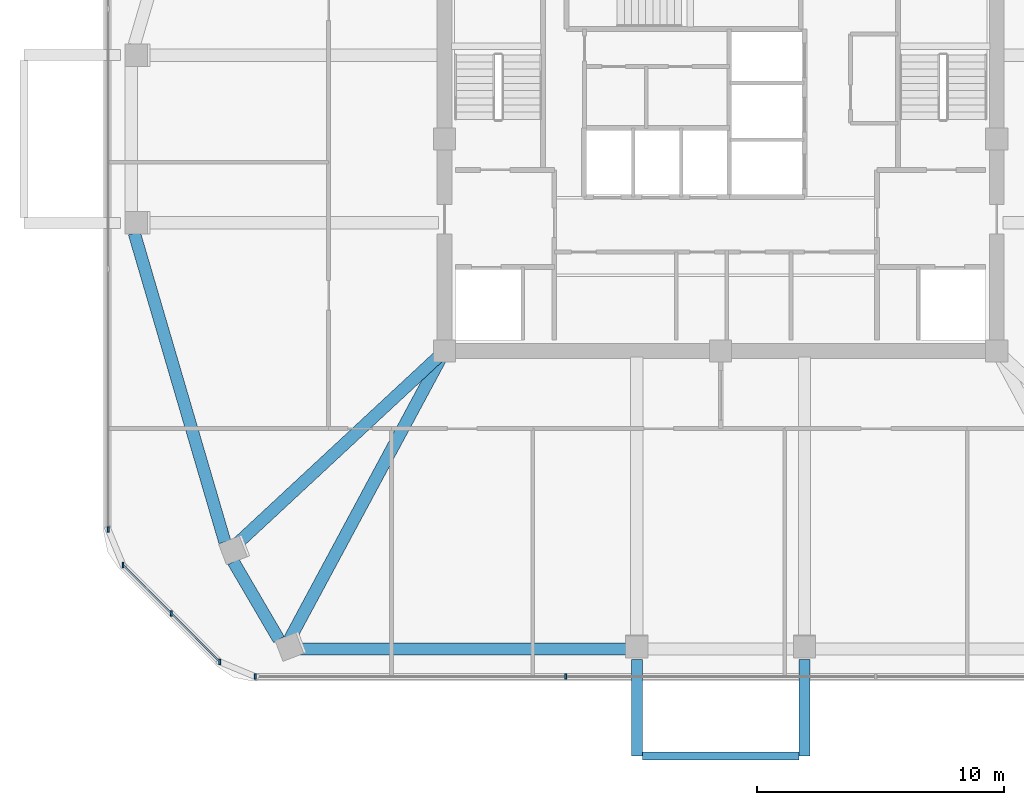
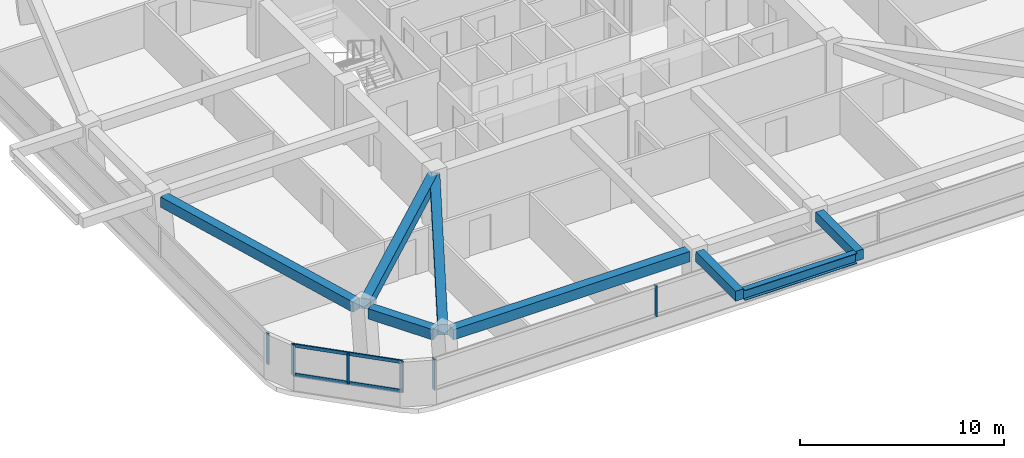
# One storey, part 2 of 13: 8 beams, 8 members, 3 elements without a shape of their own.
"""IFC4 building model written with IfcOpenShell, lengths in metres."""

from ifc_helpers import new_model, si_unit, derived_unit, direction, frame, origin, origin_2d, place, context, subcontext, project, spatial, rectangle, i_section, extrude, material, material_profile, profile_set, type_object, element, aggregate, save


model = new_model("IFC4")

# Units and contexts
model_context = context("Model", 3, precision=1e-05, world=origin(), true_north=direction((0.0, 1.0)))
body_context = subcontext(model_context, "Body", "Model", "MODEL_VIEW")
ifc_project = project(units=[si_unit("LENGTHUNIT", "METRE"), si_unit("AREAUNIT", "SQUARE_METRE"), si_unit("VOLUMEUNIT", "CUBIC_METRE"), si_unit("PLANEANGLEUNIT", "RADIAN"), si_unit("MASSUNIT", "GRAM", prefix="KILO"), derived_unit("THERMALTRANSMITTANCEUNIT", [(si_unit("POWERUNIT", "WATT"), 1), (si_unit("LENGTHUNIT", "METRE"), -2), (si_unit("THERMODYNAMICTEMPERATUREUNIT", "KELVIN"), -1)])], contexts=[model_context])

# Site, building, storey
site_placement = place(None, origin())
site = spatial("IfcSite", under=ifc_project, at=site_placement, CompositionType="ELEMENT")
building_placement = place(site_placement, origin())
building = spatial("IfcBuilding", under=site, at=building_placement, Name="Koralith Skygarden Medical Center", CompositionType="ELEMENT")
storey_placement = place(building_placement, frame((0.0, 0.0, 196.3798828125)))
storey = spatial("IfcBuildingStorey", under=building, at=storey_placement, Name="L50", CompositionType="ELEMENT", Elevation=196.3798828125)

# Curtain wall, members
ifc_material_1 = material(Name="Clear Laminated Glass", Category="glass")
curtain_wall_type = type_object("IfcCurtainWallType", Name="CW-5 Zone 4 Flare Biophilic Curtain Wall", PredefinedType="NOTDEFINED", material=ifc_material_1)
curtain_wall_1_placement = place(storey_placement, origin())
curtain_wall_1 = element("IfcCurtainWall", 1, at=curtain_wall_1_placement, inside=storey, type_object=curtain_wall_type, Name="Curtain Wall CW-L50-S", PredefinedType="NOTDEFINED")
ifc_material_2 = material(Name="Aluminium 6063-T6", Category="aluminium")
ifc_material_profile_1 = material_profile(ifc_material_2, rectangle(XDim=0.080078125, YDim=0.219970703125, at=origin_2d()), Name="MUL80X220")
ifc_profile_set_1 = profile_set([ifc_material_profile_1], Name="Aluminium 6063-T6")
member_type_1 = type_object("IfcMemberType", Name="CW-5 Extruded Mullion 80x220", PredefinedType="MULLION", material=ifc_profile_set_1)
member_1_placement = place(storey_placement, frame((18.1298828125, 4.090087890625, 0.85009765625), z_axis=(0.0, 0.0, 1.0), x_axis=(1.0, 0.0, 0.0)))
member_1 = element("IfcMember", 2, at=member_1_placement, type_object=member_type_1, Name="CW-L50-S Mullion 1", PredefinedType="MULLION", context=body_context, shape_type="SweptSolid", body=[
    extrude(rectangle(XDim=0.080078125, YDim=0.219970703125, at=origin_2d()), origin(), (0.0, 0.0, 1.0), 1.840087890625),
])
member_2_placement = place(storey_placement, frame((30.7099609375, 4.090087890625, 0.85009765625), z_axis=(0.0, 0.0, 1.0), x_axis=(1.0, 0.0, 0.0)))
member_2 = element("IfcMember", 3, at=member_2_placement, type_object=member_type_1, Name="CW-L50-S Mullion 2", PredefinedType="MULLION", context=body_context, shape_type="SweptSolid", body=[
    extrude(rectangle(XDim=0.080078125, YDim=0.219970703125, at=origin_2d()), origin(), (0.0, 0.0, 1.0), 1.840087890625),
])
aggregate(curtain_wall_1, [member_1, member_2])

# Curtain wall, member
curtain_wall_2_placement = place(storey_placement, origin())
curtain_wall_2 = element("IfcCurtainWall", 4, at=curtain_wall_2_placement, inside=storey, type_object=curtain_wall_type, Name="Curtain Wall CW-L50-W", PredefinedType="NOTDEFINED")
member_3_placement = place(storey_placement, frame((12.154052734375, 10.06494140625, 0.85009765625), z_axis=(0.0, 0.0, 1.0), x_axis=(1.0, 0.0, 0.0)))
member_3 = element("IfcMember", 5, at=member_3_placement, type_object=member_type_1, Name="CW-L50-W Mullion 4", PredefinedType="MULLION", context=body_context, shape_type="SweptSolid", body=[
    extrude(rectangle(XDim=0.080078125, YDim=0.219970703125, at=origin_2d()), origin(), (0.0, 0.0, 1.0), 1.840087890625),
])
aggregate(curtain_wall_2, [member_3])

# Curtain wall, members
curtain_wall_3_placement = place(storey_placement, origin())
curtain_wall_3 = element("IfcCurtainWall", 6, at=curtain_wall_3_placement, inside=storey, type_object=curtain_wall_type, Name="Curtain Wall CW-L50-SW", PredefinedType="NOTDEFINED")
member_4_placement = place(storey_placement, frame((12.756103515625, 8.614013671875, 0.85009765625), z_axis=(0.0, 0.0, 1.0), x_axis=(1.0, 0.0, 0.0)))
member_4 = element("IfcMember", 7, at=member_4_placement, type_object=member_type_1, Name="CW-L50-SW Mullion 1", PredefinedType="MULLION", context=body_context, shape_type="SweptSolid", body=[
    extrude(rectangle(XDim=0.080078125, YDim=0.219970703125, at=origin_2d()), origin(), (0.0, 0.0, 1.0), 1.840087890625),
])
member_5_placement = place(storey_placement, frame((14.717041015625, 6.652099609375, 0.85009765625), z_axis=(0.0, 0.0, 1.0), x_axis=(1.0, 0.0, 0.0)))
member_5 = element("IfcMember", 8, at=member_5_placement, type_object=member_type_1, Name="CW-L50-SW Mullion 2", PredefinedType="MULLION", context=body_context, shape_type="SweptSolid", body=[
    extrude(rectangle(XDim=0.080078125, YDim=0.219970703125, at=origin_2d()), origin(), (0.0, 0.0, 1.0), 1.840087890625),
])
member_6_placement = place(storey_placement, frame((16.678955078125, 4.69091796875, 0.85009765625), z_axis=(0.0, 0.0, 1.0), x_axis=(1.0, 0.0, 0.0)))
member_6 = element("IfcMember", 9, at=member_6_placement, type_object=member_type_1, Name="CW-L50-SW Mullion 3", PredefinedType="MULLION", context=body_context, shape_type="SweptSolid", body=[
    extrude(rectangle(XDim=0.080078125, YDim=0.219970703125, at=origin_2d()), origin(), (0.0, 0.0, 1.0), 1.840087890625),
])
ifc_material_profile_2 = material_profile(ifc_material_2, rectangle(XDim=0.074951171875, YDim=0.197998046875, at=origin_2d()), Name="TRN75X198")
ifc_profile_set_2 = profile_set([ifc_material_profile_2], Name="Aluminium 6063-T6")
member_type_2 = type_object("IfcMemberType", Name="CW-5 Thermal Transom 75x198", PredefinedType="USERDEFINED", material=ifc_profile_set_2)
member_7_placement = place(storey_placement, frame((12.756103515625, 8.614013671875, 0.900146484375), z_axis=(0.707084777957, -0.707128783731, 0.0), x_axis=(0.707128783731, 0.707084777957, 0.0)))
member_7 = element("IfcMember", 10, at=member_7_placement, type_object=member_type_2, Name="CW-L50-SW Transom 1", ObjectType="TRANSOM", PredefinedType="USERDEFINED", context=body_context, shape_type="SweptSolid", body=[
    extrude(rectangle(XDim=0.074951171875, YDim=0.197998046875, at=origin_2d()), origin(), (0.0, 0.0, 1.0), 5.5478515625),
])
member_8_placement = place(storey_placement, frame((12.756103515625, 8.614013671875, 2.64013671875), z_axis=(0.707084777957, -0.707128783731, 0.0), x_axis=(0.707128783731, 0.707084777957, 0.0)))
member_8 = element("IfcMember", 11, at=member_8_placement, type_object=member_type_2, Name="CW-L50-SW Transom 2", ObjectType="TRANSOM", PredefinedType="USERDEFINED", context=body_context, shape_type="SweptSolid", body=[
    extrude(rectangle(XDim=0.074951171875, YDim=0.197998046875, at=origin_2d()), origin(), (0.0, 0.0, 1.0), 5.5478515625),
])
aggregate(curtain_wall_3, [member_4, member_5, member_6, member_7, member_8])

# Beams
ifc_material_3 = material(Name="Steel ASTM A992 Grade 50", Category="steel")
ifc_material_profile_3 = material_profile(ifc_material_3, i_section(OverallWidth=0.326904296875, OverallDepth=0.6220703125, WebThickness=0.015380859375, FlangeThickness=0.0244140625, at=origin_2d()), Name="W24X131")
ifc_profile_set_3 = profile_set([ifc_material_profile_3], Name="Steel ASTM A992 Grade 50")
beam_type_1 = type_object("IfcBeamType", Name="Cantilever Tie Beam W24X131", PredefinedType="BEAM", material=ifc_profile_set_3)
beam_1_placement = place(storey_placement, frame((33.820068359375, 0.864013671875, 3.029052734375), z_axis=(1.0, 0.0, 0.0), x_axis=(0.0, 1.0, 0.0)))
element("IfcBeam", 12, at=beam_1_placement, inside=storey, type_object=beam_type_1, Name="L51 S Balcony Tip Tie Beam", PredefinedType="BEAM", context=body_context, shape_type="SweptSolid", body=[
    extrude(i_section(OverallWidth=0.326904296875, OverallDepth=0.6220703125, WebThickness=0.015380859375, FlangeThickness=0.0244140625, at=origin_2d()), origin(), (0.0, 0.0, 1.0), 6.35986328125),
])
ifc_material_4 = material(Name="Concrete C45/55", Category="concrete")
ifc_material_profile_4 = material_profile(ifc_material_4, rectangle(XDim=0.449951171875, YDim=0.60009765625, at=origin_2d()), Name="RCB450X600")
ifc_profile_set_4 = profile_set([ifc_material_profile_4], Name="Concrete C45/55")
beam_type_2 = type_object("IfcBeamType", Name="Planted Balcony Cantilever Beam RCB450X600", PredefinedType="BEAM", material=ifc_profile_set_4)
for number, where, z_axis, x_axis, name in (
    (13, (33.60009765625, 4.783935546875, 3.0400390625), (0.0, -1.0, 0.0), (1.0, 0.0, 0.0), "L51 S Balcony Cantilever Beam A"),
    (14, (40.39990234375, 4.783935546875, 3.0400390625), (0.0, -1.0, 0.0), (1.0, 0.0, 0.0), "L51 S Balcony Cantilever Beam B"),
):
    element("IfcBeam", number, at=place(storey_placement, frame(where, z_axis=z_axis, x_axis=x_axis)), inside=storey, type_object=beam_type_2, Name=name, PredefinedType="BEAM", context=body_context, shape_type="SweptSolid", body=[
        extrude(rectangle(XDim=0.449951171875, YDim=0.60009765625, at=origin_2d()), origin(), (0.0, 0.0, 1.0), 3.919921875),
    ])
ifc_material_profile_5 = material_profile(ifc_material_4, rectangle(XDim=0.5, YDim=0.6201171875, at=origin_2d()), Name="RCB500X620")
ifc_profile_set_5 = profile_set([ifc_material_profile_5], Name="Concrete C45/55")
beam_type_3 = type_object("IfcBeamType", Name="Upper Radial Collector Beam RCB500X620", PredefinedType="BEAM", material=ifc_profile_set_5)
beam_2_placement = place(storey_placement, frame((25.616943359375, 17.1298828125, 3.010009765625), z_axis=(-0.732595808089, -0.680663927332, 0.0), x_axis=(0.680663927332, -0.732595808089, 0.0)))
element("IfcBeam", 15, at=beam_2_placement, inside=storey, type_object=beam_type_3, Name="L50 Radial Collector Beam RB-02", PredefinedType="BEAM", context=body_context, shape_type="SweptSolid", body=[
    extrude(rectangle(XDim=0.5, YDim=0.6201171875, at=origin_2d()), origin(), (0.0, 0.0, 1.0), 11.306396484375),
])
beam_3_placement = place(storey_placement, frame((25.681884765625, 17.080078125, 3.010009765625), z_axis=(-0.47347182097, -0.880808966092, 0.0), x_axis=(0.880808966092, -0.47347182097, 0.0)))
element("IfcBeam", 16, at=beam_3_placement, inside=storey, type_object=beam_type_3, Name="L50 Radial Collector Beam RB-03", PredefinedType="BEAM", context=body_context, shape_type="SweptSolid", body=[
    extrude(rectangle(XDim=0.5, YDim=0.6201171875, at=origin_2d()), origin(), (0.0, 0.0, 1.0), 13.03125),
])
ifc_material_profile_6 = material_profile(ifc_material_4, rectangle(XDim=0.5, YDim=0.6201171875, at=origin_2d()), Name="RCB500X620")
ifc_profile_set_6 = profile_set([ifc_material_profile_6], Name="Concrete C45/55")
beam_type_4 = type_object("IfcBeamType", Name="Zone 4-5 Spandrel Beam RCB500X620", PredefinedType="SPANDREL", material=ifc_profile_set_6)
beam_4_placement = place(storey_placement, frame((13.216064453125, 22.077880859375, 3.010009765625), z_axis=(0.281386283755, -0.959594580703, 0.0), x_axis=(0.959594580703, 0.281386283755, 0.0)))
element("IfcBeam", 17, at=beam_4_placement, inside=storey, type_object=beam_type_4, Name="L50 Perimeter Spandrel Beam SP-01", PredefinedType="SPANDREL", context=body_context, shape_type="SweptSolid", body=[
    extrude(rectangle(XDim=0.5, YDim=0.6201171875, at=origin_2d()), origin(), (0.0, 0.0, 1.0), 13.04931640625),
])
beam_5_placement = place(storey_placement, frame((17.23388671875, 8.75390625, 3.010009765625), z_axis=(0.504861750403, -0.863200216045, 0.0), x_axis=(0.863200216045, 0.504861750403, 0.0)))
element("IfcBeam", 18, at=beam_5_placement, inside=storey, type_object=beam_type_4, Name="L50 Perimeter Spandrel Beam SP-02", PredefinedType="SPANDREL", context=body_context, shape_type="SweptSolid", body=[
    extrude(rectangle(XDim=0.5, YDim=0.6201171875, at=origin_2d()), origin(), (0.0, 0.0, 1.0), 3.66064453125),
])
beam_6_placement = place(storey_placement, frame((19.743896484375, 5.214111328125, 3.010009765625), z_axis=(1.0, 0.0, 0.0), x_axis=(0.0, 1.0, 0.0)))
element("IfcBeam", 19, at=beam_6_placement, inside=storey, type_object=beam_type_4, Name="L50 Perimeter Spandrel Beam SP-03", PredefinedType="SPANDREL", context=body_context, shape_type="SweptSolid", body=[
    extrude(rectangle(XDim=0.5, YDim=0.6201171875, at=origin_2d()), origin(), (0.0, 0.0, 1.0), 13.416015625),
])

save(model, "model.ifc")
